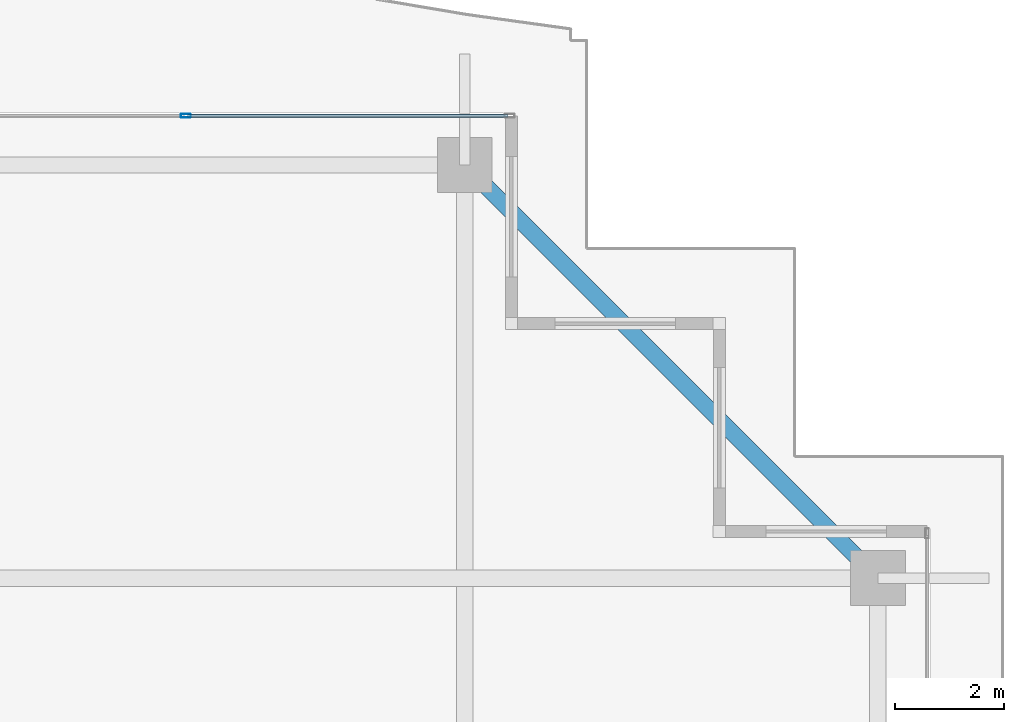
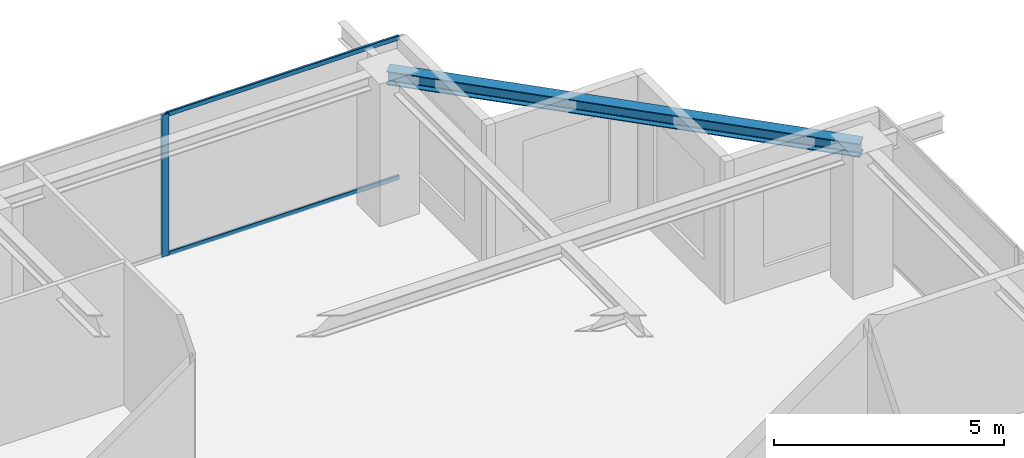
# One storey, part 22 of 37: 3 members, 1 beam, 1 element without a shape of its own.
"""IFC4 building model written with IfcOpenShell, lengths in metres."""

from ifc_helpers import new_model, si_unit, direction, frame, origin, origin_2d, place, context, subcontext, project, spatial, hollow_rectangle, i_section, extrude, source, transform, mapped, material, layer, layer_set, material_profile, profile_set, type_object, element, aggregate, save


model = new_model("IFC4")

# Units and contexts
model_context = context("Model", 3, precision=1e-05, world=origin(), true_north=direction((0.0, 1.0)))
body_context = subcontext(model_context, "Body", "Model", "MODEL_VIEW")
ifc_project = project(units=[si_unit("LENGTHUNIT", "METRE"), si_unit("AREAUNIT", "SQUARE_METRE"), si_unit("VOLUMEUNIT", "CUBIC_METRE"), si_unit("PLANEANGLEUNIT", "RADIAN"), si_unit("MASSUNIT", "GRAM", prefix="KILO")], contexts=[model_context])

# Site, building, storey
site_placement = place(None, origin())
site = spatial("IfcSite", under=ifc_project, at=site_placement, CompositionType="ELEMENT")
building_placement = place(site_placement, origin())
building = spatial("IfcBuilding", under=site, at=building_placement, Name="Serunith Strait Residences", CompositionType="ELEMENT")
storey_placement = place(building_placement, frame((0.0, 0.0, 317.75)))
storey = spatial("IfcBuildingStorey", under=building, at=storey_placement, Name="L79", CompositionType="ELEMENT", Elevation=317.75)

# Beam
ifc_material_1 = material(Name="Steel S355J2", Category="steel")
ifc_material_profile_1 = material_profile(ifc_material_1, i_section(OverallWidth=0.300048828125, OverallDepth=0.360107421875, WebThickness=0.012451171875, FlangeThickness=0.0224609375, FilletRadius=0.027099609375, at=origin_2d()), Name="HEB 360")
ifc_profile_set_1 = profile_set([ifc_material_profile_1], Name="Steel S355J2")
beam_type = type_object("IfcBeamType", Name="BM-HEB360", PredefinedType="BEAM", material=ifc_profile_set_1)
shared_shape_1 = source(origin(), body_context, "Body", "SweptSolid", [
    extrude(i_section(OverallWidth=0.300048828125, OverallDepth=0.360107421875, WebThickness=0.012451171875, FlangeThickness=0.0224609375, FilletRadius=0.027099609375, at=origin_2d()), origin(), (0.0, 0.0, 1.0), 10.677490234375),
])
beam_placement = place(storey_placement, frame((54.699951171875, 39.550048828125, 3.576904296875), z_axis=(-0.707106781187, 0.707106781187, 0.0), x_axis=(-0.707106781187, -0.707106781187, 0.0)))
element("IfcBeam", 1, at=beam_placement, inside=storey, type_object=beam_type, Name="L79 Perimeter Ring Beam 08", PredefinedType="BEAM", context=body_context, shape_type="MappedRepresentation", body=[
    mapped(shared_shape_1, transform((0.0, 0.0, 0.0), scale=1.0)),
])

# Curtain wall, members
ifc_material_2 = material(Name="Brushed Stainless-Silver Aluminium", Category="aluminium")
ifc_layer = layer(ifc_material_2, 0.199951171875, Name="Brushed Stainless-Silver Aluminium")
ifc_layer_set = layer_set([ifc_layer], Name="Brushed Stainless-Silver Aluminium")
curtain_wall_type = type_object("IfcCurtainWallType", Name="CW-SYS5", PredefinedType="NOTDEFINED", material=ifc_layer_set)
curtain_wall_placement = place(storey_placement, origin())
curtain_wall = element("IfcCurtainWall", 2, at=curtain_wall_placement, inside=storey, type_object=curtain_wall_type, Name="L79 N Unitised Fritted Curtain Wall", PredefinedType="NOTDEFINED")
ifc_material_profile_2 = material_profile(ifc_material_2, hollow_rectangle(XDim=0.06494140625, YDim=0.179931640625, WallThickness=0.00341796875, InnerFilletRadius=0.00537109375, OuterFilletRadius=0.0087890625, at=origin_2d()), Name="ALU 180x65x3.5")
ifc_profile_set_2 = profile_set([ifc_material_profile_2], Name="Brushed Stainless-Silver Aluminium")
member_type_1 = type_object("IfcMemberType", Name="CW-SYS5-MULL", PredefinedType="MULLION", material=ifc_profile_set_2)
shared_shape_2 = source(origin(), body_context, "Body", "SweptSolid", [
    extrude(hollow_rectangle(XDim=0.06494140625, YDim=0.179931640625, WallThickness=0.00341796875, InnerFilletRadius=0.00537109375, OuterFilletRadius=0.0087890625, at=origin_2d()), origin(), (0.0, 0.0, 1.0), 3.77490234375),
])
member_1_placement = place(storey_placement, frame((42.050048828125, 48.0, 0.0), z_axis=(0.0, 0.0, 1.0), x_axis=(0.0, -1.0, 0.0)))
member_1 = element("IfcMember", 3, at=member_1_placement, type_object=member_type_1, Name="CW-5 mullion 2", PredefinedType="MULLION", context=body_context, shape_type="MappedRepresentation", body=[
    mapped(shared_shape_2, transform((0.0, 0.0, 0.0), scale=1.0)),
])
ifc_material_profile_3 = material_profile(ifc_material_2, hollow_rectangle(XDim=0.06005859375, YDim=0.1201171875, WallThickness=0.00341796875, InnerFilletRadius=0.00537109375, OuterFilletRadius=0.0087890625, at=origin_2d()), Name="ALU 120x60x3.5")
ifc_profile_set_3 = profile_set([ifc_material_profile_3], Name="Brushed Stainless-Silver Aluminium")
member_type_2 = type_object("IfcMemberType", Name="CW-SYS5-TRAN", PredefinedType="USERDEFINED", material=ifc_profile_set_3)
shared_shape_3 = source(origin(), body_context, "Body", "SweptSolid", [
    extrude(hollow_rectangle(XDim=0.06005859375, YDim=0.1201171875, WallThickness=0.00341796875, InnerFilletRadius=0.00537109375, OuterFilletRadius=0.0087890625, at=origin_2d()), origin(), (0.0, 0.0, 1.0), 5.8525390625),
])
member_2_placement = place(storey_placement, frame((47.93505859375, 48.0, 0.030029296875), z_axis=(-1.0, 0.0, 0.0), x_axis=(0.0, -1.0, 0.0)))
member_2 = element("IfcMember", 4, at=member_2_placement, type_object=member_type_2, Name="CW-5 transom 1.1", ObjectType="TRANSOM", PredefinedType="USERDEFINED", context=body_context, shape_type="MappedRepresentation", body=[
    mapped(shared_shape_3, transform((0.0, 0.0, 0.0), scale=1.0)),
])
member_3_placement = place(storey_placement, frame((47.93505859375, 48.0, 3.7451171875), z_axis=(-1.0, 0.0, 0.0), x_axis=(0.0, -1.0, 0.0)))
member_3 = element("IfcMember", 5, at=member_3_placement, type_object=member_type_2, Name="CW-5 transom 1.2", ObjectType="TRANSOM", PredefinedType="USERDEFINED", context=body_context, shape_type="MappedRepresentation", body=[
    mapped(shared_shape_3, transform((0.0, 0.0, 0.0), scale=1.0)),
])
aggregate(curtain_wall, [member_1, member_2, member_3])

save(model, "model.ifc")
